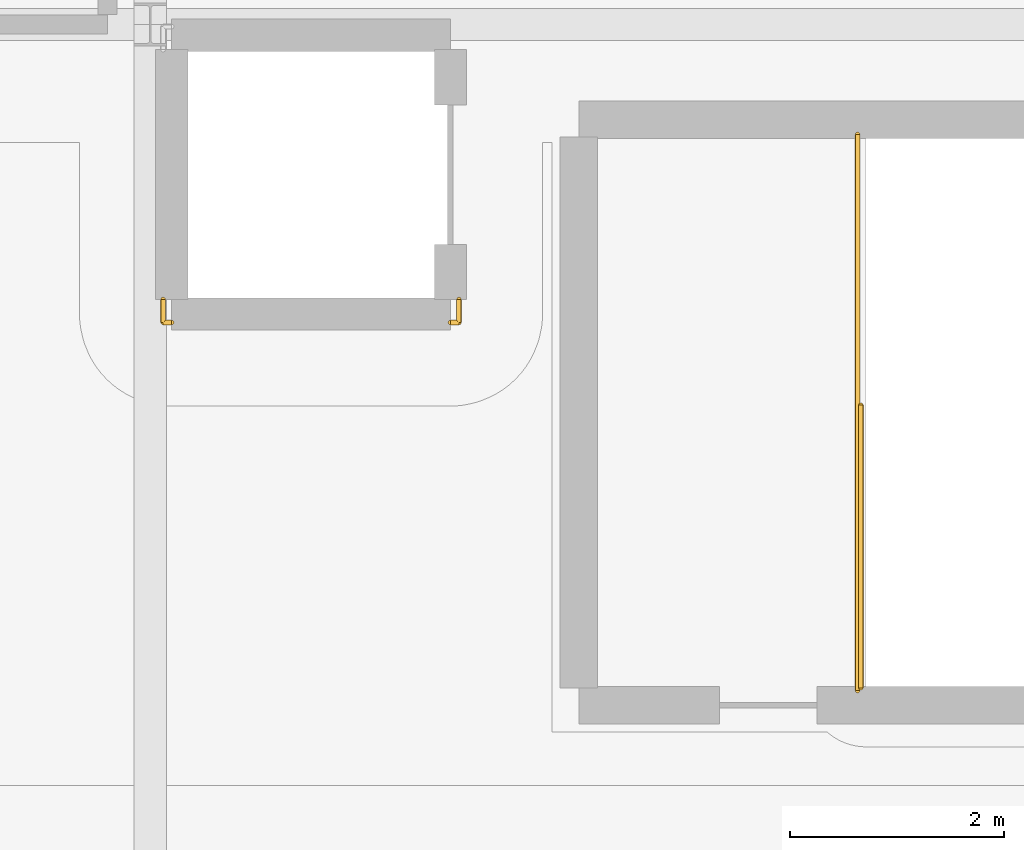
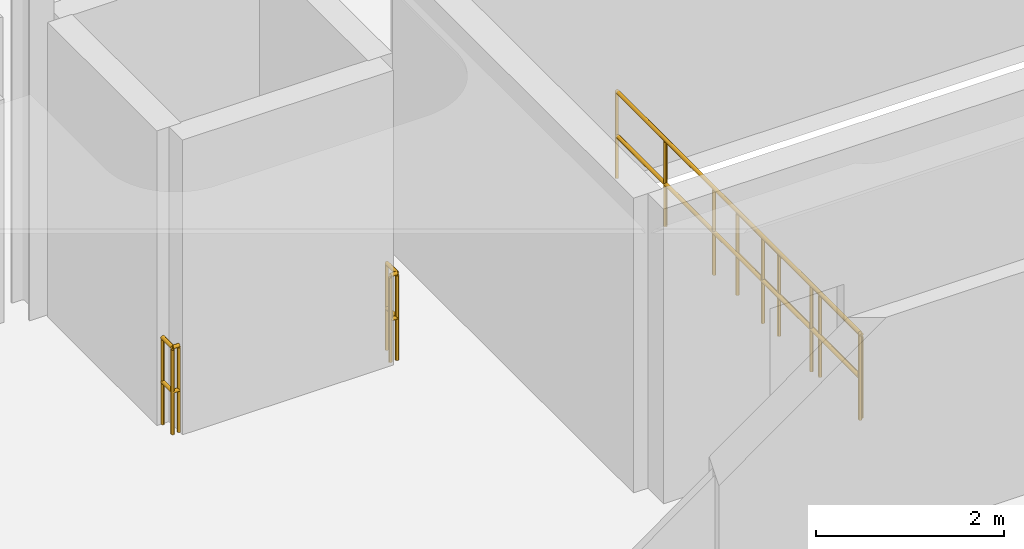
# One storey, part 55 of 59: 4 railings.
"""IFC4 building model written with IfcOpenShell, lengths in metres."""

from ifc_helpers import new_model, si_unit, direction, frame, origin, origin_2d, place, context, subcontext, project, spatial, circle, extrude, material, type_object, element, save


model = new_model("IFC4")

# Units and contexts
model_context = context("Model", 3, precision=1e-05, world=origin(), true_north=direction((0.0, 1.0)))
body_context = subcontext(model_context, "Body", "Model", "MODEL_VIEW")
ifc_project = project(units=[si_unit("LENGTHUNIT", "METRE"), si_unit("AREAUNIT", "SQUARE_METRE"), si_unit("VOLUMEUNIT", "CUBIC_METRE"), si_unit("PLANEANGLEUNIT", "RADIAN"), si_unit("MASSUNIT", "GRAM", prefix="KILO")], contexts=[model_context])

# Site, building, storey
site_placement = place(None, origin())
site = spatial("IfcSite", under=ifc_project, at=site_placement, CompositionType="ELEMENT")
building_placement = place(site_placement, origin())
building = spatial("IfcBuilding", under=site, at=building_placement, Name="Danafjord Basin Convention Centre", CompositionType="ELEMENT")
storey_placement = place(building_placement, frame((0.0, 0.0, 15.89990234375)))
storey = spatial("IfcBuildingStorey", under=building, at=storey_placement, Name="L03", CompositionType="ELEMENT", Elevation=15.89990234375)

# Railings
ifc_material_1 = material(Name="Laminated structural glass and stainless steel", Category="steel")
railing_type_1 = type_object("IfcRailingType", Name="RL-BAL-GLS", PredefinedType="BALUSTRADE", material=ifc_material_1)
railing_1_placement = place(storey_placement, frame((189.0, 14.97509765625, 0.0)))
element("IfcRailing", 1, at=railing_1_placement, inside=storey, type_object=railing_type_1, Name="L03 safety guard balustrade 228", PredefinedType="BALUSTRADE", context=body_context, shape_type="SweptSolid", body=[
    extrude(circle(Radius=0.02392578125, at=origin_2d()), frame((0.0, 0.0, 1.1259765625), z_axis=(0.0, -1.0, 0.0), x_axis=(1.0, 0.0, 0.0)), (0.0, 0.0, 1.0), 5.190185546875),
    extrude(circle(Radius=0.02392578125, at=origin_2d()), frame((0.0, 0.0, 0.55078125), z_axis=(0.0, -1.0, 0.0), x_axis=(1.0, 0.0, 0.0)), (0.0, 0.0, 1.0), 5.190185546875),
    extrude(circle(Radius=0.02099609375, at=origin_2d()), origin(), (0.0, 0.0, 1.0), 1.099853515625),
    extrude(circle(Radius=0.02099609375, at=origin_2d()), frame((0.0, -1.0380859375, 0.0)), (0.0, 0.0, 1.0), 1.099853515625),
    extrude(circle(Radius=0.02099609375, at=origin_2d()), frame((0.0, -2.076171875, 0.0)), (0.0, 0.0, 1.0), 1.099853515625),
    extrude(circle(Radius=0.02099609375, at=origin_2d()), frame((0.0, -3.114013671875, 0.0)), (0.0, 0.0, 1.0), 1.099853515625),
    extrude(circle(Radius=0.02099609375, at=origin_2d()), frame((0.0, -4.152099609375, 0.0)), (0.0, 0.0, 1.0), 1.099853515625),
    extrude(circle(Radius=0.02099609375, at=origin_2d()), frame((0.0, -5.190185546875, 0.0)), (0.0, 0.0, 1.0), 1.099853515625),
])
railing_2_placement = place(storey_placement, frame((182.52001953125, 13.43505859375, 0.0)))
element("IfcRailing", 2, at=railing_2_placement, inside=storey, type_object=railing_type_1, Name="L03 safety guard balustrade 230", PredefinedType="BALUSTRADE", context=body_context, shape_type="SweptSolid", body=[
    extrude(circle(Radius=0.02392578125, at=origin_2d()), frame((0.0, 0.0, 1.1259765625), z_axis=(0.0, -1.0, 0.0), x_axis=(1.0, 0.0, 0.0)), (0.0, 0.0, 1.0), 0.215087890625),
    extrude(circle(Radius=0.02392578125, at=origin_2d()), frame((0.0, 0.0, 0.55078125), z_axis=(0.0, -1.0, 0.0), x_axis=(1.0, 0.0, 0.0)), (0.0, 0.0, 1.0), 0.215087890625),
    extrude(circle(Radius=0.02392578125, at=origin_2d()), frame((0.0, -0.215087890625, 1.1259765625), z_axis=(1.0, 0.0, 0.0), x_axis=(0.0, 1.0, 0.0)), (0.0, 0.0, 1.0), 0.080078125),
    extrude(circle(Radius=0.02392578125, at=origin_2d()), frame((0.0, -0.215087890625, 0.55078125), z_axis=(1.0, 0.0, 0.0), x_axis=(0.0, 1.0, 0.0)), (0.0, 0.0, 1.0), 0.080078125),
    extrude(circle(Radius=0.02099609375, at=origin_2d()), origin(), (0.0, 0.0, 1.0), 1.099853515625),
    extrude(circle(Radius=0.02099609375, at=origin_2d()), frame((0.0, -0.215087890625, 0.0)), (0.0, 0.0, 1.0), 1.099853515625),
    extrude(circle(Radius=0.02099609375, at=origin_2d()), frame((0.080078125, -0.215087890625, 0.0)), (0.0, 0.0, 1.0), 1.099853515625),
])
ifc_material_2 = material(Name="Galvanised and powder-coated steel S355", Category="steel")
railing_type_2 = type_object("IfcRailingType", Name="RL-BAL-STL", PredefinedType="BALUSTRADE", material=ifc_material_2)
railing_3_placement = place(storey_placement, frame((185.199951171875, 13.219970703125, 0.0)))
element("IfcRailing", 3, at=railing_3_placement, inside=storey, type_object=railing_type_2, Name="L03 safety guard balustrade 231", PredefinedType="BALUSTRADE", context=body_context, shape_type="SweptSolid", body=[
    extrude(circle(Radius=0.02392578125, at=origin_2d()), frame((0.0, 0.0, 1.1259765625), z_axis=(1.0, 0.0, 0.0), x_axis=(0.0, 1.0, 0.0)), (0.0, 0.0, 1.0), 0.080078125),
    extrude(circle(Radius=0.02392578125, at=origin_2d()), frame((0.0, 0.0, 0.55078125), z_axis=(1.0, 0.0, 0.0), x_axis=(0.0, 1.0, 0.0)), (0.0, 0.0, 1.0), 0.080078125),
    extrude(circle(Radius=0.02392578125, at=origin_2d()), frame((0.080078125, 0.0, 1.1259765625), z_axis=(0.0, 1.0, 0.0), x_axis=(-1.0, 0.0, 0.0)), (0.0, 0.0, 1.0), 0.215087890625),
    extrude(circle(Radius=0.02392578125, at=origin_2d()), frame((0.080078125, 0.0, 0.55078125), z_axis=(0.0, 1.0, 0.0), x_axis=(-1.0, 0.0, 0.0)), (0.0, 0.0, 1.0), 0.215087890625),
    extrude(circle(Radius=0.02099609375, at=origin_2d()), origin(), (0.0, 0.0, 1.0), 1.099853515625),
    extrude(circle(Radius=0.02099609375, at=origin_2d()), frame((0.080078125, 0.0, 0.0)), (0.0, 0.0, 1.0), 1.099853515625),
    extrude(circle(Radius=0.02099609375, at=origin_2d()), frame((0.080078125, 0.215087890625, 0.0)), (0.0, 0.0, 1.0), 1.099853515625),
])
ifc_material_3 = material(Name="Galvanised steel S355", Category="steel")
railing_type_3 = type_object("IfcRailingType", Name="RL-GD-WELL", PredefinedType="BALUSTRADE", material=ifc_material_3)
railing_4_placement = place(storey_placement, frame((189.030029296875, 9.81005859375, 0.0)))
element("IfcRailing", 4, at=railing_4_placement, inside=storey, type_object=railing_type_3, Name="L03 ST-15 top well guard 1", PredefinedType="BALUSTRADE", context=body_context, shape_type="SweptSolid", body=[
    extrude(circle(Radius=0.02392578125, at=origin_2d()), frame((0.0, 0.0, 1.076171875), z_axis=(0.0, 1.0, 0.0), x_axis=(-1.0, 0.0, 0.0)), (0.0, 0.0, 1.0), 2.639892578125),
    extrude(circle(Radius=0.02392578125, at=origin_2d()), frame((0.0, 0.0, 0.52587890625), z_axis=(0.0, 1.0, 0.0), x_axis=(-1.0, 0.0, 0.0)), (0.0, 0.0, 1.0), 2.639892578125),
    extrude(circle(Radius=0.02099609375, at=origin_2d()), origin(), (0.0, 0.0, 1.0), 1.050048828125),
    extrude(circle(Radius=0.02099609375, at=origin_2d()), frame((0.0, 0.8798828125, 0.0)), (0.0, 0.0, 1.0), 1.050048828125),
    extrude(circle(Radius=0.02099609375, at=origin_2d()), frame((0.0, 1.760009765625, 0.0)), (0.0, 0.0, 1.0), 1.050048828125),
    extrude(circle(Radius=0.02099609375, at=origin_2d()), frame((0.0, 2.639892578125, 0.0)), (0.0, 0.0, 1.0), 1.050048828125),
])

save(model, "model.ifc")
